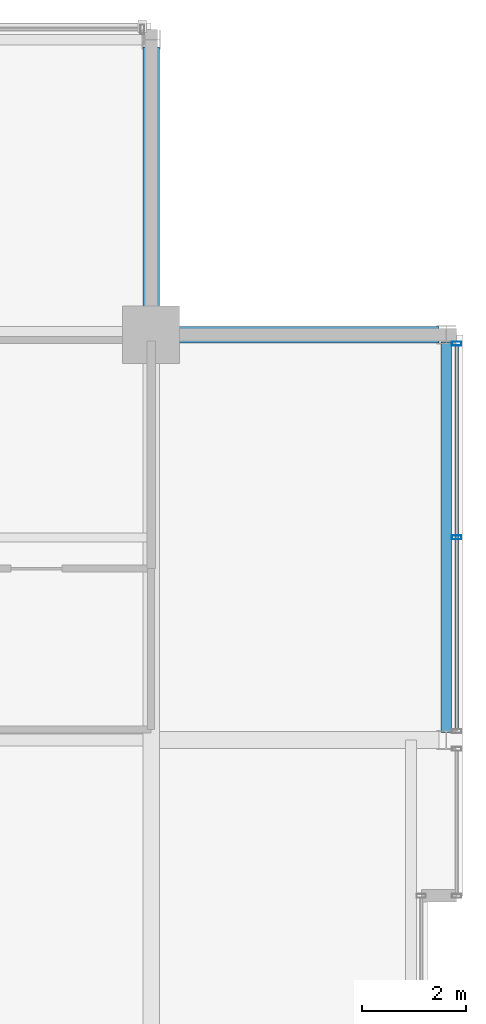
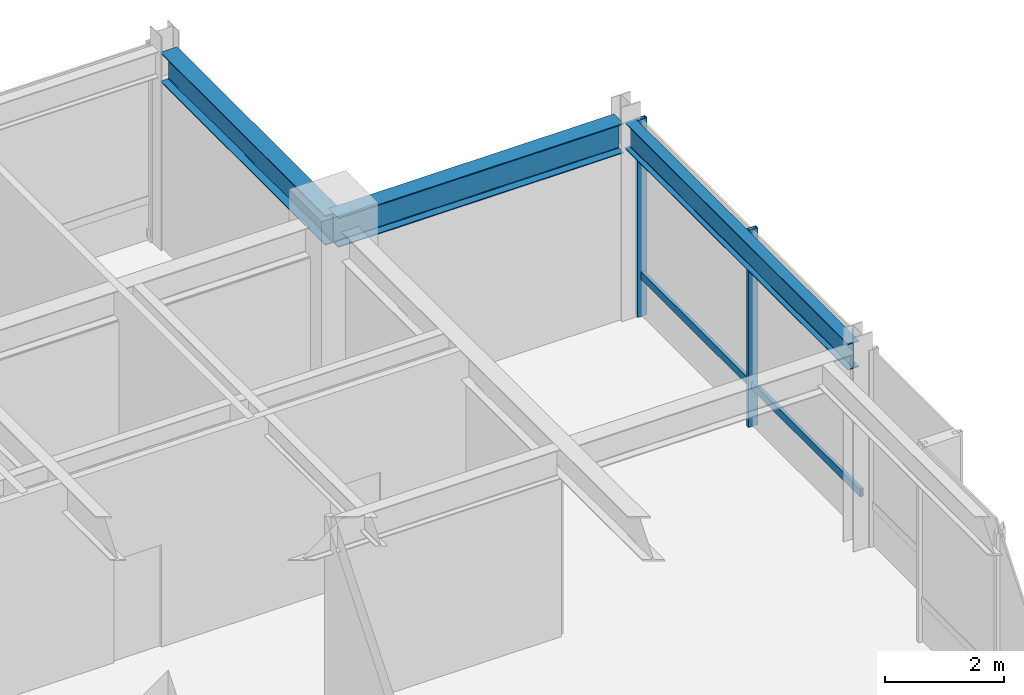
# One storey, part 26 of 33: 3 beams, 3 members, 1 element without a shape of its own.
"""IFC4 building model written with IfcOpenShell, lengths in metres."""

from ifc_helpers import new_model, si_unit, direction, frame, origin, origin_2d, place, context, subcontext, project, spatial, hollow_rectangle, i_section, extrude, material, layer, layer_set, material_profile, profile_set, type_object, element, aggregate, save


model = new_model("IFC4")

# Units and contexts
model_context = context("Model", 3, precision=1e-05, world=origin(), true_north=direction((0.0, 1.0)))
body_context = subcontext(model_context, "Body", "Model", "MODEL_VIEW")
ifc_project = project(units=[si_unit("LENGTHUNIT", "METRE"), si_unit("AREAUNIT", "SQUARE_METRE"), si_unit("VOLUMEUNIT", "CUBIC_METRE"), si_unit("PLANEANGLEUNIT", "RADIAN"), si_unit("MASSUNIT", "GRAM", prefix="KILO")], contexts=[model_context])

# Site, building, storey
site_placement = place(None, origin())
site = spatial("IfcSite", under=ifc_project, at=site_placement, CompositionType="ELEMENT")
building_placement = place(site_placement, origin())
building = spatial("IfcBuilding", under=site, at=building_placement, Name="Drelvath Grand Hotel", CompositionType="ELEMENT")
storey_placement = place(building_placement, frame((0.0, 0.0, 298.60009765625)))
storey = spatial("IfcBuildingStorey", under=building, at=storey_placement, Name="L78", CompositionType="ELEMENT", Elevation=298.60009765625)

# Curtain wall, members
ifc_material_1 = material(Name="Platinum-Mist Anodised Aluminium Frame", Category="aluminium")
ifc_layer = layer(ifc_material_1, 0.199951171875)
ifc_layer_set = layer_set([ifc_layer], Name="Platinum-Mist Anodised Aluminium Frame")
curtain_wall_type = type_object("IfcCurtainWallType", Name="Stick Curtain Wall CW-05 Platinum Mist High-Rise", PredefinedType="NOTDEFINED", material=ifc_layer_set)
curtain_wall_placement = place(storey_placement, origin())
curtain_wall = element("IfcCurtainWall", 1, at=curtain_wall_placement, inside=storey, type_object=curtain_wall_type, Name="L78 CW-05 Curtain Wall CW05-L78-EN2", PredefinedType="NOTDEFINED")
ifc_material_profile_1 = material_profile(ifc_material_1, hollow_rectangle(XDim=0.06494140625, YDim=0.159912109375, WallThickness=0.00390625, at=origin_2d()), Name="HSS160X65X4")
ifc_profile_set_1 = profile_set([ifc_material_profile_1], Name="Platinum-Mist Anodised Aluminium Frame")
member_type_1 = type_object("IfcMemberType", Name="Curtain Wall Horizontal Transom CW-05 HSS160X65X4", PredefinedType="USERDEFINED", material=ifc_profile_set_1)
member_1_placement = place(storey_placement, frame((22.080078125, 42.989990234375, 0.849853515625), z_axis=(0.0, -1.0, 0.0), x_axis=(1.0, 0.0, 0.0)))
member_1 = element("IfcMember", 2, at=member_1_placement, type_object=member_type_1, Name="CW05-L78-EN2 Sill Transom", ObjectType="TRANSOM", PredefinedType="USERDEFINED", context=body_context, shape_type="SweptSolid", body=[
    extrude(hollow_rectangle(XDim=0.06494140625, YDim=0.159912109375, WallThickness=0.00390625, at=origin_2d()), origin(), (0.0, 0.0, 1.0), 7.3798828125),
])
ifc_material_profile_2 = material_profile(ifc_material_1, hollow_rectangle(XDim=0.074951171875, YDim=0.179931640625, WallThickness=0.0048828125, at=origin_2d()), Name="HSS180X75X5")
ifc_profile_set_2 = profile_set([ifc_material_profile_2], Name="Platinum-Mist Anodised Aluminium Frame")
member_type_2 = type_object("IfcMemberType", Name="Curtain Wall Vertical Mullion CW-05 HSS180X75X5", PredefinedType="MULLION", material=ifc_profile_set_2)
member_2_placement = place(storey_placement, frame((22.080078125, 43.030029296875, 0.0), z_axis=(0.0, 0.0, 1.0), x_axis=(0.0, 1.0, 0.0)))
member_2 = element("IfcMember", 3, at=member_2_placement, type_object=member_type_2, Name="CW05-L78-EN2 Mullion 1", PredefinedType="MULLION", context=body_context, shape_type="SweptSolid", body=[
    extrude(hollow_rectangle(XDim=0.074951171875, YDim=0.179931640625, WallThickness=0.0048828125, at=origin_2d()), origin(), (0.0, 0.0, 1.0), 4.0498046875),
])
member_3_placement = place(storey_placement, frame((22.080078125, 39.300048828125, 0.0), z_axis=(0.0, 0.0, 1.0), x_axis=(0.0, 1.0, 0.0)))
member_3 = element("IfcMember", 4, at=member_3_placement, type_object=member_type_2, Name="CW05-L78-EN2 Mullion 2", PredefinedType="MULLION", context=body_context, shape_type="SweptSolid", body=[
    extrude(hollow_rectangle(XDim=0.074951171875, YDim=0.179931640625, WallThickness=0.0048828125, at=origin_2d()), origin(), (0.0, 0.0, 1.0), 4.0498046875),
])
aggregate(curtain_wall, [member_2, member_3, member_1])

# Beams
ifc_material_2 = material(Name="Steel ASTM A992 Gr 50", Category="steel")
ifc_material_profile_3 = material_profile(ifc_material_2, i_section(OverallWidth=0.210205078125, OverallDepth=0.53662109375, WebThickness=0.010986328125, FlangeThickness=0.017333984375, FilletRadius=0.01806640625, at=origin_2d()), Name="W21X68")
ifc_profile_set_3 = profile_set([ifc_material_profile_3], Name="Steel ASTM A992 Gr 50")
beam_type_1 = type_object("IfcBeamType", Name="Perimeter Spandrel Beam W21X68", PredefinedType="SPANDREL", material=ifc_profile_set_3)
beam_placement = place(storey_placement, frame((21.8798828125, 35.5400390625, 3.781494140625), z_axis=(0.0, 1.0, 0.0), x_axis=(-1.0, 0.0, 0.0)))
element("IfcBeam", 5, at=beam_placement, inside=storey, type_object=beam_type_1, Name="L78 Spandrel East N", PredefinedType="SPANDREL", context=body_context, shape_type="SweptSolid", body=[
    extrude(i_section(OverallWidth=0.210205078125, OverallDepth=0.53662109375, WebThickness=0.010986328125, FlangeThickness=0.017333984375, FilletRadius=0.01806640625, at=origin_2d()), origin(), (0.0, 0.0, 1.0), 7.52001953125),
])
ifc_material_profile_4 = material_profile(ifc_material_2, i_section(OverallWidth=0.323974609375, OverallDepth=0.611083984375, WebThickness=0.0126953125, FlangeThickness=0.01904296875, FilletRadius=0.02197265625, at=origin_2d()), Name="W24X104")
ifc_profile_set_4 = profile_set([ifc_material_profile_4], Name="Steel ASTM A992 Gr 50")
beam_type_2 = type_object("IfcBeamType", Name="Primary Floor Girder W24X104", PredefinedType="BEAM", material=ifc_profile_set_4)
for number, where, z_axis, x_axis, name in (
    (6, (16.199951171875, 43.199951171875, 3.744384765625), (1.0, 0.0, 0.0), (0.0, 1.0, 0.0), "L78 East Grid Girder G"),
    (7, (16.199951171875, 43.199951171875, 3.744384765625), (0.0, 1.0, 0.0), (-1.0, 0.0, 0.0), "L78 North Grid Girder 7"),
):
    element("IfcBeam", number, at=place(storey_placement, frame(where, z_axis=z_axis, x_axis=x_axis)), inside=storey, type_object=beam_type_2, Name=name, PredefinedType="BEAM", context=body_context, shape_type="SweptSolid", body=[
        extrude(i_section(OverallWidth=0.323974609375, OverallDepth=0.611083984375, WebThickness=0.0126953125, FlangeThickness=0.01904296875, FilletRadius=0.02197265625, at=origin_2d()), origin(), (0.0, 0.0, 1.0), 5.5400390625),
    ])

save(model, "model.ifc")
